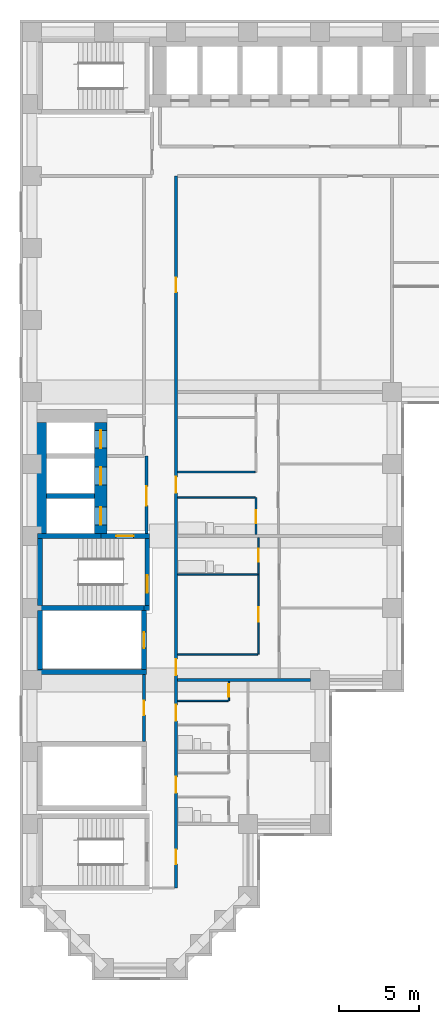
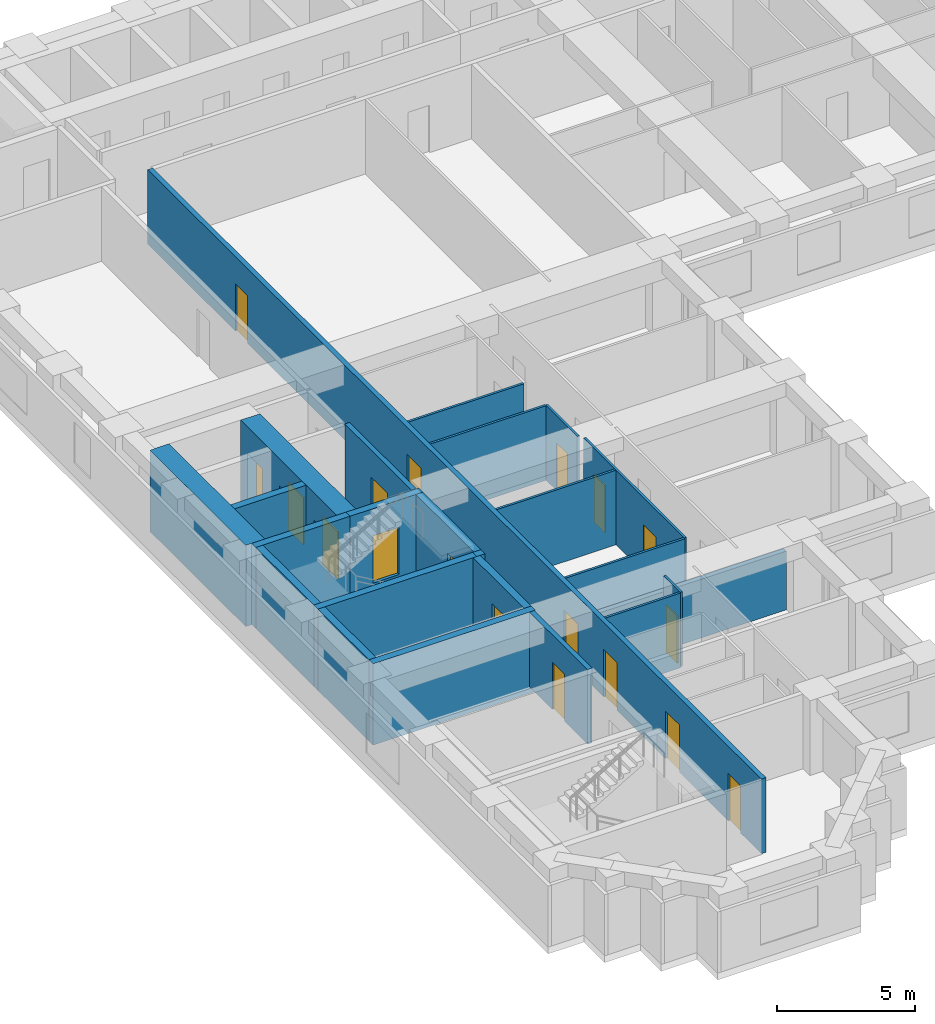
# One storey, part 3 of 12: 24 walls, 18 doors, 18 openings.
"""IFC4 building model written with IfcOpenShell, lengths in metres."""

from ifc_helpers import new_model, si_unit, direction, frame, frame_2d, origin, place, context, subcontext, project, spatial, rectangle, extrude, material, layer, layer_set, type_object, element, fill, save


model = new_model("IFC4")

# Units and contexts
model_context = context("Model", 3, precision=1e-05, world=origin(), true_north=direction((0.0, 1.0)))
body_context = subcontext(model_context, "Body", "Model", "MODEL_VIEW")
ifc_project = project(units=[si_unit("LENGTHUNIT", "METRE"), si_unit("AREAUNIT", "SQUARE_METRE"), si_unit("VOLUMEUNIT", "CUBIC_METRE"), si_unit("PLANEANGLEUNIT", "RADIAN"), si_unit("MASSUNIT", "GRAM", prefix="KILO")], contexts=[model_context])

# Site, building, storey
site_placement = place(None, origin())
site = spatial("IfcSite", under=ifc_project, at=site_placement, CompositionType="ELEMENT")
building_placement = place(site_placement, origin())
building = spatial("IfcBuilding", under=site, at=building_placement, Name="Firuza Court", CompositionType="ELEMENT")
storey_placement = place(building_placement, frame((0.0, 0.0, 36.199951171875)))
storey = spatial("IfcBuildingStorey", under=building, at=storey_placement, Name="L07", CompositionType="ELEMENT", Elevation=36.199951171875)

# Walls
ifc_material_1 = material(Name="Moisture-resistant gypsum board partition")
ifc_layer_1 = layer(ifc_material_1, 0.10009765625)
ifc_layer_set_1 = layer_set([ifc_layer_1], Name="Moisture-resistant gypsum board partition")
wall_type_1 = type_object("IfcWallType", Name="Bathroom partition 100", PredefinedType="PLUMBINGWALL", material=ifc_layer_set_1)
wall_1_placement = place(storey_placement, frame((9.10009765625, 24.60009765625, 0.0), z_axis=(0.0, 0.0, 1.0), x_axis=(1.0, 0.0, 0.0)))
element("IfcWall", 1, at=wall_1_placement, inside=storey, type_object=wall_type_1, Name="Bathroom partition 100 L07", PredefinedType="PLUMBINGWALL", context=body_context, shape_type="SweptSolid", body=[
    extrude(rectangle(XDim=5.0, YDim=0.10009765625, at=frame_2d((2.5, 0.0))), origin(), (0.0, 0.0, 1.0), 3.300048828125),
])
wall_2_placement = place(storey_placement, frame((9.10009765625, 29.39990234375, 0.0), z_axis=(0.0, 0.0, 1.0), x_axis=(1.0, 0.0, 0.0)))
element("IfcWall", 2, at=wall_2_placement, inside=storey, type_object=wall_type_1, Name="Bathroom partition 100 L07", PredefinedType="PLUMBINGWALL", context=body_context, shape_type="SweptSolid", body=[
    extrude(rectangle(XDim=4.849853515625, YDim=0.10009765625, at=frame_2d((2.4248046875, 0.0))), origin(), (0.0, 0.0, 1.0), 3.300048828125),
])
ifc_material_2 = material(Name="Concrete C60/75", Category="concrete")
ifc_layer_2 = layer(ifc_material_2, 0.300048828125)
ifc_layer_set_2 = layer_set([ifc_layer_2], Name="Concrete C60/75")
wall_type_2 = type_object("IfcWallType", Name="Core wall 300 C60/75", PredefinedType="SHEAR", material=ifc_layer_set_2)
wall_3_placement = place(storey_placement, frame((0.35009765625, 18.5, -0.300048828125), z_axis=(0.0, 0.0, 1.0), x_axis=(1.0, 0.0, 0.0)))
element("IfcWall", 3, at=wall_3_placement, inside=storey, type_object=wall_type_2, Name="Core wall riser L07", PredefinedType="SHEAR", context=body_context, shape_type="SweptSolid", body=[
    extrude(rectangle(XDim=6.7998046875, YDim=0.300048828125, at=frame_2d((3.39990234375, 0.0))), origin(), (0.0, 0.0, 1.0), 3.60009765625),
])
wall_4_placement = place(storey_placement, frame((0.35009765625, 22.5, -0.300048828125), z_axis=(0.0, 0.0, 1.0), x_axis=(1.0, 0.0, 0.0)))
element("IfcWall", 4, at=wall_4_placement, inside=storey, type_object=wall_type_2, Name="Core wall riser L07", PredefinedType="SHEAR", context=body_context, shape_type="SweptSolid", body=[
    extrude(rectangle(XDim=6.64990234375, YDim=0.300048828125, at=frame_2d((3.324951171875, 0.0))), origin(), (0.0, 0.0, 1.0), 3.60009765625),
])
wall_5_placement = place(storey_placement, frame((0.35009765625, 27.0, -0.300048828125), z_axis=(0.0, 0.0, 1.0), x_axis=(1.0, 0.0, 0.0)))
element("IfcWall", 5, at=wall_5_placement, inside=storey, type_object=wall_type_2, Name="Core wall lift shaft L07", PredefinedType="SHEAR", context=body_context, shape_type="SweptSolid", body=[
    extrude(rectangle(XDim=3.949951171875, YDim=0.300048828125, at=frame_2d((1.97509765625, 0.0))), origin(), (0.0, 0.0, 1.0), 3.60009765625),
])
wall_6_placement = place(storey_placement, frame((0.5, 18.64990234375, -0.300048828125), z_axis=(0.0, 0.0, 1.0), x_axis=(0.0, 1.0, 0.0)))
element("IfcWall", 6, at=wall_6_placement, inside=storey, type_object=wall_type_2, Name="Core wall riser L07", PredefinedType="SHEAR", context=body_context, shape_type="SweptSolid", body=[
    extrude(rectangle(XDim=3.7001953125, YDim=0.300048828125, at=frame_2d((1.85009765625, 0.0))), origin(), (0.0, 0.0, 1.0), 3.60009765625),
])
wall_7_placement = place(storey_placement, frame((0.5, 22.64990234375, -0.300048828125), z_axis=(0.0, 0.0, 1.0), x_axis=(0.0, 1.0, 0.0)))
element("IfcWall", 7, at=wall_7_placement, inside=storey, type_object=wall_type_2, Name="Core wall stair L07", PredefinedType="SHEAR", context=body_context, shape_type="SweptSolid", body=[
    extrude(rectangle(XDim=4.2001953125, YDim=0.300048828125, at=frame_2d((2.10009765625, 0.0))), origin(), (0.0, 0.0, 1.0), 3.60009765625),
])
wall_8_placement = place(storey_placement, frame((0.89990234375, 29.5, -0.300048828125), z_axis=(0.0, 0.0, 1.0), x_axis=(1.0, 0.0, 0.0)))
element("IfcWall", 8, at=wall_8_placement, inside=storey, type_object=wall_type_2, Name="Core wall lift shaft L07", PredefinedType="SHEAR", context=body_context, shape_type="SweptSolid", body=[
    extrude(rectangle(XDim=3.0, YDim=0.300048828125, at=frame_2d((1.5, 0.0))), origin(), (0.0, 0.0, 1.0), 3.60009765625),
])

# Wall, opening, door
wall_9_placement = place(storey_placement, frame((4.300048828125, 27.0, -0.300048828125), z_axis=(0.0, 0.0, 1.0), x_axis=(1.0, 0.0, 0.0)))
wall_9 = element("IfcWall", 9, at=wall_9_placement, inside=storey, type_object=wall_type_2, Name="Core wall stair L07", PredefinedType="SHEAR", context=body_context, shape_type="SweptSolid", body=[
    extrude(rectangle(XDim=3.050048828125, YDim=0.300048828125, at=frame_2d((1.52490234375, 0.0))), origin(), (0.0, 0.0, 1.0), 3.60009765625),
])
opening_1_placement = place(wall_9_placement, frame((0.949951171875, 0.0, 0.300048828125)))
opening_1 = element("IfcOpeningElement", 10, at=opening_1_placement, cuts=wall_9, Name="Opening D07014", PredefinedType="OPENING", context=body_context, shape_type="SweptSolid", body=[
    extrude(rectangle(XDim=1.10009765625, YDim=2.10009765625, at=frame_2d((0.550048828125, 1.050048828125))), frame((0.0, 0.162109375, 0.0), z_axis=(0.0, -1.0, 0.0), x_axis=(1.0, 0.0, 0.0)), (0.0, 0.0, 1.0), 0.323974609375),
])
ifc_material_3 = material(Name="Timber door leaf in hardwood frame", Category="wood")
door_type_1 = type_object("IfcDoorType", Name="Stair door 1100", OperationType="SINGLE_SWING_LEFT", PredefinedType="DOOR", material=ifc_material_3)
door_1_placement = place(opening_1_placement, frame((1.10009765625, 0.0, 0.0), z_axis=(0.0, 0.0, 1.0), x_axis=(-1.0, 0.0, 0.0)))
door_1 = element("IfcDoor", 11, at=door_1_placement, inside=storey, type_object=door_type_1, Name="Fire-fighting lobby door", OperationType="SINGLE_SWING_LEFT", OverallHeight=2.10009765625, OverallWidth=1.10009765625, PredefinedType="DOOR", context=body_context, shape_type="SweptSolid", body=[
    extrude(rectangle(XDim=1.10009765625, YDim=2.10009765625, at=frame_2d((0.550048828125, 1.050048828125))), frame((0.0, 0.02490234375, 0.0), z_axis=(0.0, -1.0, 0.0), x_axis=(1.0, 0.0, 0.0)), (0.0, 0.0, 1.0), 0.050048828125),
])
fill(opening_1, door_1)

wall_10_placement = place(storey_placement, frame((7.0, 18.64990234375, -0.300048828125), z_axis=(0.0, 0.0, 1.0), x_axis=(0.0, 1.0, 0.0)))
wall_10 = element("IfcWall", 12, at=wall_10_placement, inside=storey, type_object=wall_type_2, Name="Core wall riser L07", PredefinedType="SHEAR", context=body_context, shape_type="SweptSolid", body=[
    extrude(rectangle(XDim=3.7001953125, YDim=0.300048828125, at=frame_2d((1.85009765625, 0.0))), origin(), (0.0, 0.0, 1.0), 3.60009765625),
])
opening_2_placement = place(wall_10_placement, frame((1.35009765625, 0.0, 0.300048828125)))
opening_2 = element("IfcOpeningElement", 13, at=opening_2_placement, cuts=wall_10, Name="Opening D07010", PredefinedType="OPENING", context=body_context, shape_type="SweptSolid", body=[
    extrude(rectangle(XDim=1.0, YDim=2.10009765625, at=frame_2d((0.5, 1.050048828125))), frame((0.0, 0.162109375, 0.0), z_axis=(0.0, -1.0, 0.0), x_axis=(1.0, 0.0, 0.0)), (0.0, 0.0, 1.0), 0.323974609375),
])
ifc_material_4 = material(Name="Timber door leaf in hardwood frame", Category="wood")
door_type_2 = type_object("IfcDoorType", Name="Riser door 1000", OperationType="SINGLE_SWING_LEFT", PredefinedType="DOOR", material=ifc_material_4)
door_2_placement = place(opening_2_placement, origin())
door_2 = element("IfcDoor", 14, at=door_2_placement, inside=storey, type_object=door_type_2, Name="Riser door R1", OperationType="SINGLE_SWING_LEFT", OverallHeight=2.10009765625, OverallWidth=1.0, PredefinedType="DOOR", context=body_context, shape_type="SweptSolid", body=[
    extrude(rectangle(XDim=1.0, YDim=2.10009765625, at=frame_2d((0.5, 1.050048828125))), frame((0.0, 0.02490234375, 0.0), z_axis=(0.0, -1.0, 0.0), x_axis=(1.0, 0.0, 0.0)), (0.0, 0.0, 1.0), 0.050048828125),
])
fill(opening_2, door_2)

# Wall
wall_11_placement = place(storey_placement, frame((7.0, 22.5, -0.300048828125), z_axis=(0.0, 0.0, 1.0), x_axis=(1.0, 0.0, 0.0)))
element("IfcWall", 15, at=wall_11_placement, inside=storey, type_object=wall_type_2, Name="Core wall stair L07", PredefinedType="SHEAR", context=body_context, shape_type="SweptSolid", body=[
    extrude(rectangle(XDim=0.35009765625, YDim=0.300048828125, at=frame_2d((0.175048828125, 0.0))), origin(), (0.0, 0.0, 1.0), 3.60009765625),
])

# Wall, opening, door
wall_12_placement = place(storey_placement, frame((7.199951171875, 22.64990234375, -0.300048828125), z_axis=(0.0, 0.0, 1.0), x_axis=(0.0, 1.0, 0.0)))
wall_12 = element("IfcWall", 16, at=wall_12_placement, inside=storey, type_object=wall_type_2, Name="Core wall stair L07", PredefinedType="SHEAR", context=body_context, shape_type="SweptSolid", body=[
    extrude(rectangle(XDim=4.2001953125, YDim=0.300048828125, at=frame_2d((2.10009765625, 0.0))), origin(), (0.0, 0.0, 1.0), 3.60009765625),
])
opening_3_placement = place(wall_12_placement, frame((0.800048828125, 0.0, 0.300048828125)))
opening_3 = element("IfcOpeningElement", 17, at=opening_3_placement, cuts=wall_12, Name="Opening D07015", PredefinedType="OPENING", context=body_context, shape_type="SweptSolid", body=[
    extrude(rectangle(XDim=1.10009765625, YDim=2.10009765625, at=frame_2d((0.550048828125, 1.050048828125))), frame((0.0, 0.162109375, 0.0), z_axis=(0.0, -1.0, 0.0), x_axis=(1.0, 0.0, 0.0)), (0.0, 0.0, 1.0), 0.323974609375),
])
door_3_placement = place(opening_3_placement, origin())
door_3 = element("IfcDoor", 18, at=door_3_placement, inside=storey, type_object=door_type_1, Name="Stair door S2", OperationType="SINGLE_SWING_LEFT", OverallHeight=2.10009765625, OverallWidth=1.10009765625, PredefinedType="DOOR", context=body_context, shape_type="SweptSolid", body=[
    extrude(rectangle(XDim=1.10009765625, YDim=2.10009765625, at=frame_2d((0.550048828125, 1.050048828125))), frame((0.0, 0.02490234375, 0.0), z_axis=(0.0, -1.0, 0.0), x_axis=(1.0, 0.0, 0.0)), (0.0, 0.0, 1.0), 0.050048828125),
])
fill(opening_3, door_3)

# Wall
ifc_layer_3 = layer(ifc_material_2, 0.800048828125)
ifc_layer_set_3 = layer_set([ifc_layer_3], Name="Concrete C60/75")
wall_type_3 = type_object("IfcWallType", Name="Core wall 800 C60/75", PredefinedType="SHEAR", material=ifc_layer_set_3)
wall_13_placement = place(storey_placement, frame((0.5, 27.14990234375, -0.300048828125), z_axis=(0.0, 0.0, 1.0), x_axis=(0.0, 1.0, 0.0)))
element("IfcWall", 19, at=wall_13_placement, inside=storey, type_object=wall_type_3, Name="Core wall lift shaft L07", PredefinedType="SHEAR", context=body_context, shape_type="SweptSolid", body=[
    extrude(rectangle(XDim=6.9501953125, YDim=0.800048828125, at=frame_2d((3.47509765625, 0.0))), origin(), (0.0, 0.0, 1.0), 3.60009765625),
])

# Wall, openings, doors
wall_14_placement = place(storey_placement, frame((4.300048828125, 27.14990234375, -0.300048828125), z_axis=(0.0, 0.0, 1.0), x_axis=(0.0, 1.0, 0.0)))
wall_14 = element("IfcWall", 20, at=wall_14_placement, inside=storey, type_object=wall_type_3, Name="Core wall lift shaft L07", PredefinedType="SHEAR", context=body_context, shape_type="SweptSolid", body=[
    extrude(rectangle(XDim=6.9501953125, YDim=0.800048828125, at=frame_2d((3.47509765625, 0.0))), origin(), (0.0, 0.0, 1.0), 3.60009765625),
])
opening_4_placement = place(wall_14_placement, frame((3.050048828125, 0.0, 0.300048828125)))
opening_4 = element("IfcOpeningElement", 21, at=opening_4_placement, cuts=wall_14, Name="Opening LD-FL1-07", PredefinedType="OPENING", context=body_context, shape_type="SweptSolid", body=[
    extrude(rectangle(XDim=1.10009765625, YDim=2.10009765625, at=frame_2d((0.550048828125, 1.050048828125))), frame((0.0, 0.412109375, 0.0), z_axis=(0.0, -1.0, 0.0), x_axis=(1.0, 0.0, 0.0)), (0.0, 0.0, 1.0), 0.823974609375),
])
opening_5_placement = place(wall_14_placement, frame((0.550048828125, 0.0, 0.300048828125)))
opening_5 = element("IfcOpeningElement", 22, at=opening_5_placement, cuts=wall_14, Name="Opening LD-FL2-07", PredefinedType="OPENING", context=body_context, shape_type="SweptSolid", body=[
    extrude(rectangle(XDim=1.10009765625, YDim=2.10009765625, at=frame_2d((0.550048828125, 1.050048828125))), frame((0.0, 0.412109375, 0.0), z_axis=(0.0, -1.0, 0.0), x_axis=(1.0, 0.0, 0.0)), (0.0, 0.0, 1.0), 0.823974609375),
])
opening_6_placement = place(wall_14_placement, frame((5.35009765625, 0.0, 0.300048828125)))
opening_6 = element("IfcOpeningElement", 23, at=opening_6_placement, cuts=wall_14, Name="Opening LD-SL1-07", PredefinedType="OPENING", context=body_context, shape_type="SweptSolid", body=[
    extrude(rectangle(XDim=1.10009765625, YDim=2.10009765625, at=frame_2d((0.550048828125, 1.050048828125))), frame((0.0, 0.412109375, 0.0), z_axis=(0.0, -1.0, 0.0), x_axis=(1.0, 0.0, 0.0)), (0.0, 0.0, 1.0), 0.823974609375),
])
ifc_material_5 = material(Name="Stainless steel 1.4301 door leaf", Category="steel")
door_type_3 = type_object("IfcDoorType", Name="Lift landing door 1100", OperationType="SLIDING_TO_LEFT", PredefinedType="DOOR", material=ifc_material_5)
door_4_placement = place(opening_4_placement, origin())
door_4 = element("IfcDoor", 24, at=door_4_placement, inside=storey, type_object=door_type_3, Name="Landing door FL1", OperationType="SLIDING_TO_LEFT", OverallHeight=2.10009765625, OverallWidth=1.10009765625, PredefinedType="DOOR", context=body_context, shape_type="SweptSolid", body=[
    extrude(rectangle(XDim=1.10009765625, YDim=2.10009765625, at=frame_2d((0.550048828125, 1.050048828125))), frame((0.0, 0.02490234375, 0.0), z_axis=(0.0, -1.0, 0.0), x_axis=(1.0, 0.0, 0.0)), (0.0, 0.0, 1.0), 0.050048828125),
])
fill(opening_4, door_4)
door_5_placement = place(opening_5_placement, origin())
door_5 = element("IfcDoor", 25, at=door_5_placement, inside=storey, type_object=door_type_3, Name="Landing door FL2", OperationType="SLIDING_TO_LEFT", OverallHeight=2.10009765625, OverallWidth=1.10009765625, PredefinedType="DOOR", context=body_context, shape_type="SweptSolid", body=[
    extrude(rectangle(XDim=1.10009765625, YDim=2.10009765625, at=frame_2d((0.550048828125, 1.050048828125))), frame((0.0, 0.02490234375, 0.0), z_axis=(0.0, -1.0, 0.0), x_axis=(1.0, 0.0, 0.0)), (0.0, 0.0, 1.0), 0.050048828125),
])
fill(opening_5, door_5)
door_6_placement = place(opening_6_placement, origin())
door_6 = element("IfcDoor", 26, at=door_6_placement, inside=storey, type_object=door_type_3, Name="Landing door SL1", OperationType="SLIDING_TO_LEFT", OverallHeight=2.10009765625, OverallWidth=1.10009765625, PredefinedType="DOOR", context=body_context, shape_type="SweptSolid", body=[
    extrude(rectangle(XDim=1.10009765625, YDim=2.10009765625, at=frame_2d((0.550048828125, 1.050048828125))), frame((0.0, 0.02490234375, 0.0), z_axis=(0.0, -1.0, 0.0), x_axis=(1.0, 0.0, 0.0)), (0.0, 0.0, 1.0), 0.050048828125),
])
fill(opening_6, door_6)

ifc_material_6 = material(Name="Blockwork, plastered both sides", Category="masonry")
ifc_layer_4 = layer(ifc_material_6, 0.199951171875)
ifc_layer_set_4 = layer_set([ifc_layer_4], Name="Blockwork, plastered both sides")
wall_type_4 = type_object("IfcWallType", Name="Corridor wall 200", PredefinedType="PARTITIONING", material=ifc_layer_set_4)
wall_15_placement = place(storey_placement, frame((9.0, 5.0, 0.0), z_axis=(0.0, 0.0, 1.0), x_axis=(0.0, 1.0, 0.0)))
wall_15 = element("IfcWall", 27, at=wall_15_placement, inside=storey, type_object=wall_type_4, Name="Corridor wall 200 L07", PredefinedType="PARTITIONING", context=body_context, shape_type="SweptSolid", body=[
    extrude(rectangle(XDim=44.5, YDim=0.199951171875, at=frame_2d((22.25, 0.0))), origin(), (0.0, 0.0, 1.0), 3.300048828125),
])
opening_7_placement = place(wall_15_placement, frame((24.699951171875, 0.0, 0.0)))
opening_7 = element("IfcOpeningElement", 28, at=opening_7_placement, cuts=wall_15, Name="Opening D07019", PredefinedType="OPENING", context=body_context, shape_type="SweptSolid", body=[
    extrude(rectangle(XDim=1.0, YDim=2.10009765625, at=frame_2d((0.5, 1.050048828125))), frame((0.0, 0.11181640625, 0.0), z_axis=(0.0, -1.0, 0.0), x_axis=(1.0, 0.0, 0.0)), (0.0, 0.0, 1.0), 0.223876953125),
])
opening_8_placement = place(wall_15_placement, frame((13.300048828125, 0.0, 0.0)))
opening_8 = element("IfcOpeningElement", 29, at=opening_8_placement, cuts=wall_15, Name="Opening D07020", PredefinedType="OPENING", context=body_context, shape_type="SweptSolid", body=[
    extrude(rectangle(XDim=1.0, YDim=2.10009765625, at=frame_2d((0.5, 1.050048828125))), frame((0.0, 0.11181640625, 0.0), z_axis=(0.0, -1.0, 0.0), x_axis=(1.0, 0.0, 0.0)), (0.0, 0.0, 1.0), 0.223876953125),
])
opening_9_placement = place(wall_15_placement, frame((10.449951171875, 0.0, 0.0)))
opening_9 = element("IfcOpeningElement", 30, at=opening_9_placement, cuts=wall_15, Name="Opening D07021", PredefinedType="OPENING", context=body_context, shape_type="SweptSolid", body=[
    extrude(rectangle(XDim=1.0, YDim=2.10009765625, at=frame_2d((0.5, 1.050048828125))), frame((0.0, 0.11181640625, 0.0), z_axis=(0.0, -1.0, 0.0), x_axis=(1.0, 0.0, 0.0)), (0.0, 0.0, 1.0), 0.223876953125),
])
opening_10_placement = place(wall_15_placement, frame((5.949951171875, 0.0, 0.0)))
opening_10 = element("IfcOpeningElement", 31, at=opening_10_placement, cuts=wall_15, Name="Opening D07022", PredefinedType="OPENING", context=body_context, shape_type="SweptSolid", body=[
    extrude(rectangle(XDim=1.0, YDim=2.10009765625, at=frame_2d((0.5, 1.050048828125))), frame((0.0, 0.11181640625, 0.0), z_axis=(0.0, -1.0, 0.0), x_axis=(1.0, 0.0, 0.0)), (0.0, 0.0, 1.0), 0.223876953125),
])
opening_11_placement = place(wall_15_placement, frame((37.25, 0.0, 0.0)))
opening_11 = element("IfcOpeningElement", 32, at=opening_11_placement, cuts=wall_15, Name="Opening D07023", PredefinedType="OPENING", context=body_context, shape_type="SweptSolid", body=[
    extrude(rectangle(XDim=0.89990234375, YDim=2.10009765625, at=frame_2d((0.449951171875, 1.050048828125))), frame((0.0, 0.11181640625, 0.0), z_axis=(0.0, -1.0, 0.0), x_axis=(1.0, 0.0, 0.0)), (0.0, 0.0, 1.0), 0.223876953125),
])
opening_12_placement = place(wall_15_placement, frame((1.5, 0.0, 0.0)))
opening_12 = element("IfcOpeningElement", 33, at=opening_12_placement, cuts=wall_15, Name="Opening D07024", PredefinedType="OPENING", context=body_context, shape_type="SweptSolid", body=[
    extrude(rectangle(XDim=0.89990234375, YDim=2.10009765625, at=frame_2d((0.449951171875, 1.050048828125))), frame((0.0, 0.11181640625, 0.0), z_axis=(0.0, -1.0, 0.0), x_axis=(1.0, 0.0, 0.0)), (0.0, 0.0, 1.0), 0.223876953125),
])
ifc_material_7 = material(Name="Timber door leaf in hardwood frame", Category="wood")
door_type_4 = type_object("IfcDoorType", Name="Flat entrance door 1000", OperationType="SINGLE_SWING_LEFT", PredefinedType="DOOR", material=ifc_material_7)
door_7_placement = place(opening_7_placement, origin())
door_7 = element("IfcDoor", 34, at=door_7_placement, inside=storey, type_object=door_type_4, Name="Flat entrance door", OperationType="SINGLE_SWING_LEFT", OverallHeight=2.10009765625, OverallWidth=1.0, PredefinedType="DOOR", context=body_context, shape_type="SweptSolid", body=[
    extrude(rectangle(XDim=1.0, YDim=2.10009765625, at=frame_2d((0.5, 1.050048828125))), frame((0.0, 0.02490234375, 0.0), z_axis=(0.0, -1.0, 0.0), x_axis=(1.0, 0.0, 0.0)), (0.0, 0.0, 1.0), 0.050048828125),
])
fill(opening_7, door_7)
door_8_placement = place(opening_8_placement, origin())
door_8 = element("IfcDoor", 35, at=door_8_placement, inside=storey, type_object=door_type_4, Name="Flat entrance door", OperationType="SINGLE_SWING_LEFT", OverallHeight=2.10009765625, OverallWidth=1.0, PredefinedType="DOOR", context=body_context, shape_type="SweptSolid", body=[
    extrude(rectangle(XDim=1.0, YDim=2.10009765625, at=frame_2d((0.5, 1.050048828125))), frame((0.0, 0.02490234375, 0.0), z_axis=(0.0, -1.0, 0.0), x_axis=(1.0, 0.0, 0.0)), (0.0, 0.0, 1.0), 0.050048828125),
])
fill(opening_8, door_8)
door_9_placement = place(opening_9_placement, origin())
door_9 = element("IfcDoor", 36, at=door_9_placement, inside=storey, type_object=door_type_4, Name="Flat entrance door", OperationType="SINGLE_SWING_LEFT", OverallHeight=2.10009765625, OverallWidth=1.0, PredefinedType="DOOR", context=body_context, shape_type="SweptSolid", body=[
    extrude(rectangle(XDim=1.0, YDim=2.10009765625, at=frame_2d((0.5, 1.050048828125))), frame((0.0, 0.02490234375, 0.0), z_axis=(0.0, -1.0, 0.0), x_axis=(1.0, 0.0, 0.0)), (0.0, 0.0, 1.0), 0.050048828125),
])
fill(opening_9, door_9)
door_10_placement = place(opening_10_placement, origin())
door_10 = element("IfcDoor", 37, at=door_10_placement, inside=storey, type_object=door_type_4, Name="Flat entrance door", OperationType="SINGLE_SWING_LEFT", OverallHeight=2.10009765625, OverallWidth=1.0, PredefinedType="DOOR", context=body_context, shape_type="SweptSolid", body=[
    extrude(rectangle(XDim=1.0, YDim=2.10009765625, at=frame_2d((0.5, 1.050048828125))), frame((0.0, 0.02490234375, 0.0), z_axis=(0.0, -1.0, 0.0), x_axis=(1.0, 0.0, 0.0)), (0.0, 0.0, 1.0), 0.050048828125),
])
fill(opening_10, door_10)
ifc_material_8 = material(Name="Timber door leaf in hardwood frame", Category="wood")
door_type_5 = type_object("IfcDoorType", Name="Room door 900 EI 30", OperationType="SINGLE_SWING_LEFT", PredefinedType="DOOR", material=ifc_material_8)
door_11_placement = place(opening_11_placement, origin())
door_11 = element("IfcDoor", 38, at=door_11_placement, inside=storey, type_object=door_type_5, Name="Residents' lounge door", OperationType="SINGLE_SWING_LEFT", OverallHeight=2.10009765625, OverallWidth=0.89990234375, PredefinedType="DOOR", context=body_context, shape_type="SweptSolid", body=[
    extrude(rectangle(XDim=0.89990234375, YDim=2.10009765625, at=frame_2d((0.449951171875, 1.050048828125))), frame((0.0, 0.02490234375, 0.0), z_axis=(0.0, -1.0, 0.0), x_axis=(1.0, 0.0, 0.0)), (0.0, 0.0, 1.0), 0.050048828125),
])
fill(opening_11, door_11)
door_12_placement = place(opening_12_placement, frame((0.89990234375, 0.0, 0.0), z_axis=(0.0, 0.0, 1.0), x_axis=(-1.0, 0.0, 0.0)))
door_12 = element("IfcDoor", 39, at=door_12_placement, inside=storey, type_object=door_type_5, Name="Music room door", OperationType="SINGLE_SWING_LEFT", OverallHeight=2.10009765625, OverallWidth=0.89990234375, PredefinedType="DOOR", context=body_context, shape_type="SweptSolid", body=[
    extrude(rectangle(XDim=0.89990234375, YDim=2.10009765625, at=frame_2d((0.449951171875, 1.050048828125))), frame((0.0, 0.02490234375, 0.0), z_axis=(0.0, -1.0, 0.0), x_axis=(1.0, 0.0, 0.0)), (0.0, 0.0, 1.0), 0.050048828125),
])
fill(opening_12, door_12)

# Wall, opening, door
wall_16_placement = place(storey_placement, frame((7.0, 14.14990234375, 0.0), z_axis=(0.0, 0.0, 1.0), x_axis=(0.0, 1.0, 0.0)))
wall_16 = element("IfcWall", 40, at=wall_16_placement, inside=storey, type_object=wall_type_4, Name="Corridor wall 200 L07", PredefinedType="PARTITIONING", context=body_context, shape_type="SweptSolid", body=[
    extrude(rectangle(XDim=4.2001953125, YDim=0.199951171875, at=frame_2d((2.10009765625, 0.0))), origin(), (0.0, 0.0, 1.0), 3.300048828125),
])
opening_13_placement = place(wall_16_placement, frame((1.64990234375, 0.0, 0.0)))
opening_13 = element("IfcOpeningElement", 41, at=opening_13_placement, cuts=wall_16, Name="Opening D07030", PredefinedType="OPENING", context=body_context, shape_type="SweptSolid", body=[
    extrude(rectangle(XDim=0.89990234375, YDim=2.10009765625, at=frame_2d((0.449951171875, 1.050048828125))), frame((0.0, 0.11181640625, 0.0), z_axis=(0.0, -1.0, 0.0), x_axis=(1.0, 0.0, 0.0)), (0.0, 0.0, 1.0), 0.223876953125),
])
door_13_placement = place(opening_13_placement, origin())
door_13 = element("IfcDoor", 42, at=door_13_placement, inside=storey, type_object=door_type_5, Name="Meeting room door", OperationType="SINGLE_SWING_LEFT", OverallHeight=2.10009765625, OverallWidth=0.89990234375, PredefinedType="DOOR", context=body_context, shape_type="SweptSolid", body=[
    extrude(rectangle(XDim=0.89990234375, YDim=2.10009765625, at=frame_2d((0.449951171875, 1.050048828125))), frame((0.0, 0.02490234375, 0.0), z_axis=(0.0, -1.0, 0.0), x_axis=(1.0, 0.0, 0.0)), (0.0, 0.0, 1.0), 0.050048828125),
])
fill(opening_13, door_13)

# Wall
ifc_material_9 = material(Name="Timber stud partition, plasterboard both sides", Category="wood")
ifc_layer_5 = layer(ifc_material_9, 0.10009765625)
ifc_layer_set_5 = layer_set([ifc_layer_5], Name="Timber stud partition, plasterboard both sides")
wall_type_5 = type_object("IfcWallType", Name="Partition wall 100", PredefinedType="PARTITIONING", material=ifc_layer_set_5)
wall_17_placement = place(storey_placement, frame((9.10009765625, 16.699951171875, 0.0), z_axis=(0.0, 0.0, 1.0), x_axis=(1.0, 0.0, 0.0)))
element("IfcWall", 43, at=wall_17_placement, inside=storey, type_object=wall_type_5, Name="Partition wall 100 L07", PredefinedType="PARTITIONING", context=body_context, shape_type="SweptSolid", body=[
    extrude(rectangle(XDim=3.14990234375, YDim=0.10009765625, at=frame_2d((1.574951171875, 0.0))), origin(), (0.0, 0.0, 1.0), 3.300048828125),
])

# Wall, opening, door
wall_18_placement = place(storey_placement, frame((12.300048828125, 16.699951171875, 0.0), z_axis=(0.0, 0.0, 1.0), x_axis=(0.0, 1.0, 0.0)))
wall_18 = element("IfcWall", 44, at=wall_18_placement, inside=storey, type_object=wall_type_5, Name="Partition wall 100 L07", PredefinedType="PARTITIONING", context=body_context, shape_type="SweptSolid", body=[
    extrude(rectangle(XDim=1.199951171875, YDim=0.10009765625, at=frame_2d((0.60009765625, 0.0))), origin(), (0.0, 0.0, 1.0), 3.300048828125),
])
opening_14_placement = place(wall_18_placement, frame((0.25, 0.0, 0.0)))
opening_14 = element("IfcOpeningElement", 45, at=opening_14_placement, cuts=wall_18, Name="Opening D07031", PredefinedType="OPENING", context=body_context, shape_type="SweptSolid", body=[
    extrude(rectangle(XDim=0.800048828125, YDim=2.10009765625, at=frame_2d((0.39990234375, 1.050048828125))), frame((0.0, 0.06201171875, 0.0), z_axis=(0.0, -1.0, 0.0), x_axis=(1.0, 0.0, 0.0)), (0.0, 0.0, 1.0), 0.1240234375),
])
ifc_material_10 = material(Name="Timber door leaf in hardwood frame", Category="wood")
door_type_6 = type_object("IfcDoorType", Name="Room door 800", OperationType="SINGLE_SWING_LEFT", PredefinedType="DOOR", material=ifc_material_10)
door_14_placement = place(opening_14_placement, origin())
door_14 = element("IfcDoor", 46, at=door_14_placement, inside=storey, type_object=door_type_6, Name="Kitchen door", OperationType="SINGLE_SWING_LEFT", OverallHeight=2.10009765625, OverallWidth=0.800048828125, PredefinedType="DOOR", context=body_context, shape_type="SweptSolid", body=[
    extrude(rectangle(XDim=0.800048828125, YDim=2.10009765625, at=frame_2d((0.39990234375, 1.050048828125))), frame((0.0, 0.02490234375, 0.0), z_axis=(0.0, -1.0, 0.0), x_axis=(1.0, 0.0, 0.0)), (0.0, 0.0, 1.0), 0.050048828125),
])
fill(opening_14, door_14)

# Wall
wall_19_placement = place(storey_placement, frame((9.10009765625, 19.60009765625, 0.0), z_axis=(0.0, 0.0, 1.0), x_axis=(1.0, 0.0, 0.0)))
element("IfcWall", 47, at=wall_19_placement, inside=storey, type_object=wall_type_5, Name="Partition wall 100 L07", PredefinedType="PARTITIONING", context=body_context, shape_type="SweptSolid", body=[
    extrude(rectangle(XDim=5.0, YDim=0.10009765625, at=frame_2d((2.5, 0.0))), origin(), (0.0, 0.0, 1.0), 3.300048828125),
])

# Wall, openings, doors
wall_20_placement = place(storey_placement, frame((14.14990234375, 19.60009765625, 0.0), z_axis=(0.0, 0.0, 1.0), x_axis=(0.0, 1.0, 0.0)))
wall_20 = element("IfcWall", 48, at=wall_20_placement, inside=storey, type_object=wall_type_5, Name="Partition wall 100 L07", PredefinedType="PARTITIONING", context=body_context, shape_type="SweptSolid", body=[
    extrude(rectangle(XDim=7.2998046875, YDim=0.10009765625, at=frame_2d((3.64990234375, 0.0))), origin(), (0.0, 0.0, 1.0), 3.300048828125),
])
opening_15_placement = place(wall_20_placement, frame((5.800048828125, 0.0, 0.0)))
opening_15 = element("IfcOpeningElement", 49, at=opening_15_placement, cuts=wall_20, Name="Opening D07034", PredefinedType="OPENING", context=body_context, shape_type="SweptSolid", body=[
    extrude(rectangle(XDim=0.800048828125, YDim=2.10009765625, at=frame_2d((0.39990234375, 1.050048828125))), frame((0.0, 0.06201171875, 0.0), z_axis=(0.0, -1.0, 0.0), x_axis=(1.0, 0.0, 0.0)), (0.0, 0.0, 1.0), 0.1240234375),
])
opening_16_placement = place(wall_20_placement, frame((2.050048828125, 0.0, 0.0)))
opening_16 = element("IfcOpeningElement", 50, at=opening_16_placement, cuts=wall_20, Name="Opening D07035", PredefinedType="OPENING", context=body_context, shape_type="SweptSolid", body=[
    extrude(rectangle(XDim=0.89990234375, YDim=2.10009765625, at=frame_2d((0.449951171875, 1.050048828125))), frame((0.0, 0.06201171875, 0.0), z_axis=(0.0, -1.0, 0.0), x_axis=(1.0, 0.0, 0.0)), (0.0, 0.0, 1.0), 0.1240234375),
])
ifc_material_11 = material(Name="Timber door leaf in hardwood frame", Category="wood")
door_type_7 = type_object("IfcDoorType", Name="Bathroom door 800", OperationType="SINGLE_SWING_LEFT", PredefinedType="DOOR", material=ifc_material_11)
door_15_placement = place(opening_15_placement, origin())
door_15 = element("IfcDoor", 51, at=door_15_placement, inside=storey, type_object=door_type_7, Name="Bathroom door", OperationType="SINGLE_SWING_LEFT", OverallHeight=2.10009765625, OverallWidth=0.800048828125, PredefinedType="DOOR", context=body_context, shape_type="SweptSolid", body=[
    extrude(rectangle(XDim=0.800048828125, YDim=2.10009765625, at=frame_2d((0.39990234375, 1.050048828125))), frame((0.0, 0.02490234375, 0.0), z_axis=(0.0, -1.0, 0.0), x_axis=(1.0, 0.0, 0.0)), (0.0, 0.0, 1.0), 0.050048828125),
])
fill(opening_15, door_15)
ifc_material_12 = material(Name="Timber door leaf in hardwood frame", Category="wood")
door_type_8 = type_object("IfcDoorType", Name="Room door 900", OperationType="SINGLE_SWING_LEFT", PredefinedType="DOOR", material=ifc_material_12)
door_16_placement = place(opening_16_placement, origin())
door_16 = element("IfcDoor", 52, at=door_16_placement, inside=storey, type_object=door_type_8, Name="Kitchen door", OperationType="SINGLE_SWING_LEFT", OverallHeight=2.10009765625, OverallWidth=0.89990234375, PredefinedType="DOOR", context=body_context, shape_type="SweptSolid", body=[
    extrude(rectangle(XDim=0.89990234375, YDim=2.10009765625, at=frame_2d((0.449951171875, 1.050048828125))), frame((0.0, 0.02490234375, 0.0), z_axis=(0.0, -1.0, 0.0), x_axis=(1.0, 0.0, 0.0)), (0.0, 0.0, 1.0), 0.050048828125),
])
fill(opening_16, door_16)

# Wall, opening, door
wall_21_placement = place(storey_placement, frame((14.0, 27.10009765625, 0.0), z_axis=(0.0, 0.0, 1.0), x_axis=(0.0, 1.0, 0.0)))
wall_21 = element("IfcWall", 53, at=wall_21_placement, inside=storey, type_object=wall_type_5, Name="Partition wall 100 L07", PredefinedType="PARTITIONING", context=body_context, shape_type="SweptSolid", body=[
    extrude(rectangle(XDim=2.2998046875, YDim=0.10009765625, at=frame_2d((1.14990234375, 0.0))), origin(), (0.0, 0.0, 1.0), 3.300048828125),
])
opening_17_placement = place(wall_21_placement, frame((0.699951171875, 0.0, 0.0)))
opening_17 = element("IfcOpeningElement", 54, at=opening_17_placement, cuts=wall_21, Name="Opening D07036", PredefinedType="OPENING", context=body_context, shape_type="SweptSolid", body=[
    extrude(rectangle(XDim=0.800048828125, YDim=2.10009765625, at=frame_2d((0.39990234375, 1.050048828125))), frame((0.0, 0.06201171875, 0.0), z_axis=(0.0, -1.0, 0.0), x_axis=(1.0, 0.0, 0.0)), (0.0, 0.0, 1.0), 0.1240234375),
])
door_17_placement = place(opening_17_placement, origin())
door_17 = element("IfcDoor", 55, at=door_17_placement, inside=storey, type_object=door_type_7, Name="Bathroom door", OperationType="SINGLE_SWING_LEFT", OverallHeight=2.10009765625, OverallWidth=0.800048828125, PredefinedType="DOOR", context=body_context, shape_type="SweptSolid", body=[
    extrude(rectangle(XDim=0.800048828125, YDim=2.10009765625, at=frame_2d((0.39990234375, 1.050048828125))), frame((0.0, 0.02490234375, 0.0), z_axis=(0.0, -1.0, 0.0), x_axis=(1.0, 0.0, 0.0)), (0.0, 0.0, 1.0), 0.050048828125),
])
fill(opening_17, door_17)

# Walls
wall_22_placement = place(storey_placement, frame((9.10009765625, 31.0, 0.0), z_axis=(0.0, 0.0, 1.0), x_axis=(1.0, 0.0, 0.0)))
element("IfcWall", 56, at=wall_22_placement, inside=storey, type_object=wall_type_5, Name="Partition wall 100 L07", PredefinedType="PARTITIONING", context=body_context, shape_type="SweptSolid", body=[
    extrude(rectangle(XDim=4.849853515625, YDim=0.10009765625, at=frame_2d((2.4248046875, 0.0))), origin(), (0.0, 0.0, 1.0), 3.300048828125),
])
ifc_layer_6 = layer(ifc_material_6, 0.199951171875)
ifc_layer_set_6 = layer_set([ifc_layer_6], Name="Blockwork, plastered both sides")
wall_type_6 = type_object("IfcWallType", Name="Party wall 200", PredefinedType="PARTITIONING", material=ifc_layer_set_6)
wall_23_placement = place(storey_placement, frame((9.10009765625, 18.0, 0.0), z_axis=(0.0, 0.0, 1.0), x_axis=(1.0, 0.0, 0.0)))
element("IfcWall", 57, at=wall_23_placement, inside=storey, type_object=wall_type_6, Name="Party wall 200 L07", PredefinedType="PARTITIONING", context=body_context, shape_type="SweptSolid", body=[
    extrude(rectangle(XDim=8.2998046875, YDim=0.199951171875, at=frame_2d((4.14990234375, 0.0))), origin(), (0.0, 0.0, 1.0), 2.60009765625),
])

# Wall, opening, door
ifc_material_13 = material(Name="Blockwork, fire-rated", Category="masonry")
ifc_layer_7 = layer(ifc_material_13, 0.199951171875)
ifc_layer_set_7 = layer_set([ifc_layer_7], Name="Blockwork, fire-rated")
wall_type_7 = type_object("IfcWallType", Name="Shaft wall 200", PredefinedType="PARTITIONING", material=ifc_layer_set_7)
wall_24_placement = place(storey_placement, frame((7.14990234375, 27.169921875, 0.0), z_axis=(0.0, 0.0, 1.0), x_axis=(0.0, 1.0, 0.0)))
wall_24 = element("IfcWall", 58, at=wall_24_placement, inside=storey, type_object=wall_type_7, Name="Shaft wall 200 L07", PredefinedType="PARTITIONING", context=body_context, shape_type="SweptSolid", body=[
    extrude(rectangle(XDim=4.830078125, YDim=0.199951171875, at=frame_2d((2.4150390625, 0.0))), origin(), (0.0, 0.0, 1.0), 3.300048828125),
])
opening_18_placement = place(wall_24_placement, frame((1.72998046875, 0.0, 0.0)))
opening_18 = element("IfcOpeningElement", 59, at=opening_18_placement, cuts=wall_24, Name="Opening D07002", PredefinedType="OPENING", context=body_context, shape_type="SweptSolid", body=[
    extrude(rectangle(XDim=1.199951171875, YDim=2.10009765625, at=frame_2d((0.60009765625, 1.050048828125))), frame((0.0, 0.11181640625, 0.0), z_axis=(0.0, -1.0, 0.0), x_axis=(1.0, 0.0, 0.0)), (0.0, 0.0, 1.0), 0.223876953125),
])
ifc_material_14 = material(Name="Timber door leaf in hardwood frame", Category="wood")
door_type_9 = type_object("IfcDoorType", Name="Lobby door 1200", OperationType="SINGLE_SWING_LEFT", PredefinedType="DOOR", material=ifc_material_14)
door_18_placement = place(opening_18_placement, origin())
door_18 = element("IfcDoor", 60, at=door_18_placement, inside=storey, type_object=door_type_9, Name="Fire-fighting lobby door", OperationType="SINGLE_SWING_LEFT", OverallHeight=2.10009765625, OverallWidth=1.199951171875, PredefinedType="DOOR", context=body_context, shape_type="SweptSolid", body=[
    extrude(rectangle(XDim=1.199951171875, YDim=2.10009765625, at=frame_2d((0.60009765625, 1.050048828125))), frame((0.0, 0.02490234375, 0.0), z_axis=(0.0, -1.0, 0.0), x_axis=(1.0, 0.0, 0.0)), (0.0, 0.0, 1.0), 0.050048828125),
])
fill(opening_18, door_18)

save(model, "model.ifc")
